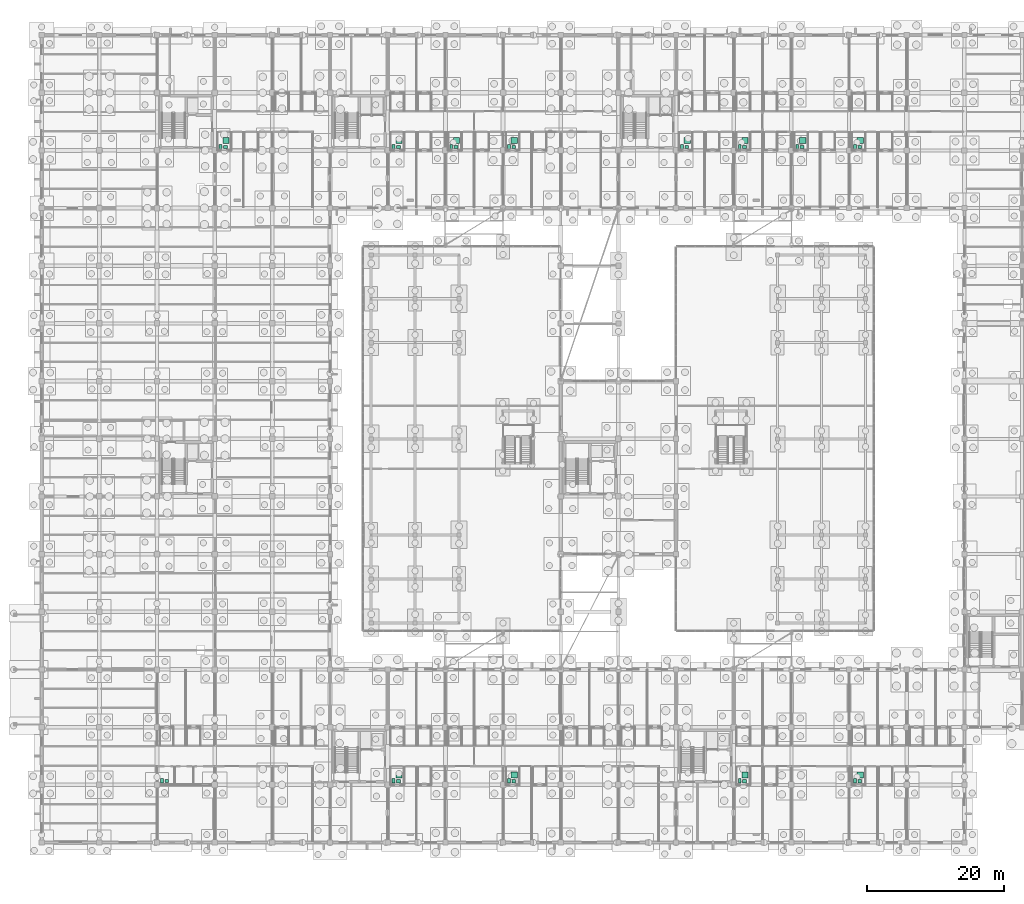
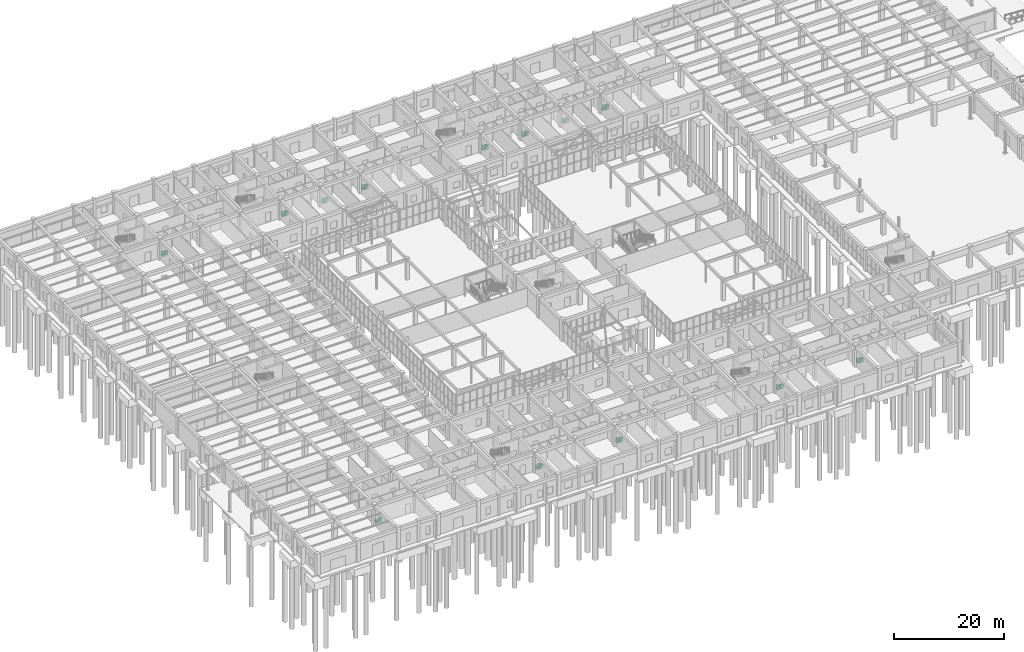
# One storey, part 191 of 192: 38 sanitary terminals.
"""IFC4 building model written with IfcOpenShell, lengths in metres."""

from ifc_helpers import new_model, si_unit, direction, frame, origin, origin_2d, place, context, subcontext, project, spatial, rectangle, extrude, material, type_object, element, save


model = new_model("IFC4")

# Units and contexts
model_context = context("Model", 3, precision=1e-05, world=origin(), true_north=direction((0.0, 1.0)))
body_context = subcontext(model_context, "Body", "Model", "MODEL_VIEW")
ifc_project = project(units=[si_unit("LENGTHUNIT", "METRE"), si_unit("AREAUNIT", "SQUARE_METRE"), si_unit("VOLUMEUNIT", "CUBIC_METRE"), si_unit("PLANEANGLEUNIT", "RADIAN"), si_unit("MASSUNIT", "GRAM", prefix="KILO")], contexts=[model_context])

# Site, building, storey
site_placement = place(None, origin())
site = spatial("IfcSite", under=ifc_project, at=site_placement, CompositionType="ELEMENT")
building_placement = place(site_placement, origin())
building = spatial("IfcBuilding", under=site, at=building_placement, Name="Trelvath General Hospital", CompositionType="ELEMENT")
storey_placement = place(building_placement, origin())
storey = spatial("IfcBuildingStorey", under=building, at=storey_placement, Name="L00", CompositionType="ELEMENT", Elevation=0.0)

# Sanitary terminals
ifc_material_1 = material(Name="Sanitary glazed porcelain")
sanitary_terminal_type_1 = type_object("IfcSanitaryTerminalType", Name="Sanitary Basin", PredefinedType="WASHHANDBASIN", material=ifc_material_1)
for number, where, z_axis, x_axis, name in (
    (1, (18.219970703125, 8.93994140625, 0.0), (0.0, 0.0, 1.0), (1.0, 0.0, 0.0), "Pedestal Washbasin FIT-L00-V6-AWC-2"),
    (2, (51.9599609375, 8.929931640625, 0.0), (0.0, 0.0, 1.0), (1.0, 0.0, 0.0), "Pedestal Washbasin FIT-L00-V6-6-W"),
    (3, (68.760009765625, 8.929931640625, 0.0), (0.0, 0.0, 1.0), (1.0, 0.0, 0.0), "Pedestal Washbasin FIT-L00-V6-8-W"),
    (4, (102.360107421875, 8.929931640625, 0.0), (0.0, 0.0, 1.0), (1.0, 0.0, 0.0), "Pedestal Washbasin FIT-L00-V6-12-W"),
    (5, (119.159912109375, 8.929931640625, 0.0), (0.0, 0.0, 1.0), (1.0, 0.0, 0.0), "Pedestal Washbasin FIT-L00-V6-14-W"),
    (6, (26.760009765625, 101.330078125, 0.0), (0.0, 0.0, 1.0), (1.0, 0.0, 0.0), "Pedestal Washbasin FIT-L00-V5-3-W"),
    (7, (51.9599609375, 101.330078125, 0.0), (0.0, 0.0, 1.0), (1.0, 0.0, 0.0), "Pedestal Washbasin FIT-L00-V5-6-W"),
    (8, (60.360107421875, 101.330078125, 0.0), (0.0, 0.0, 1.0), (1.0, 0.0, 0.0), "Pedestal Washbasin FIT-L00-V5-7-W"),
    (9, (68.760009765625, 101.330078125, 0.0), (0.0, 0.0, 1.0), (1.0, 0.0, 0.0), "Pedestal Washbasin FIT-L00-V5-8-W"),
    (10, (93.9599609375, 101.330078125, 0.0), (0.0, 0.0, 1.0), (1.0, 0.0, 0.0), "Pedestal Washbasin FIT-L00-V5-11-W"),
    (11, (102.360107421875, 101.330078125, 0.0), (0.0, 0.0, 1.0), (1.0, 0.0, 0.0), "Pedestal Washbasin FIT-L00-V5-12-W"),
    (12, (110.760009765625, 101.330078125, 0.0), (0.0, 0.0, 1.0), (1.0, 0.0, 0.0), "Pedestal Washbasin FIT-L00-V5-13-W"),
    (13, (119.159912109375, 101.330078125, 0.0), (0.0, 0.0, 1.0), (1.0, 0.0, 0.0), "Pedestal Washbasin FIT-L00-V5-14-W"),
):
    element("IfcSanitaryTerminal", number, at=place(storey_placement, frame(where, z_axis=z_axis, x_axis=x_axis)), inside=storey, type_object=sanitary_terminal_type_1, Name=name, PredefinedType="WASHHANDBASIN", context=body_context, shape_type="SweptSolid", body=[
        extrude(rectangle(XDim=0.550048828125, YDim=0.449951171875, at=origin_2d()), origin(), (0.0, 0.0, 1.0), 0.85009765625),
    ])
ifc_material_2 = material(Name="Sanitary glazed porcelain")
sanitary_terminal_type_2 = type_object("IfcSanitaryTerminalType", Name="Sanitary Shower", PredefinedType="SHOWER", material=ifc_material_2)
for number, where, z_axis, x_axis, name in (
    (14, (52.0400390625, 9.840087890625, 0.0), (0.0, 0.0, 1.0), (1.0, 0.0, 0.0), "Roll-in Shower FIT-L00-V6-6-W"),
    (15, (68.840087890625, 9.840087890625, 0.0), (0.0, 0.0, 1.0), (1.0, 0.0, 0.0), "Roll-in Shower FIT-L00-V6-8-W"),
    (16, (102.43994140625, 9.840087890625, 0.0), (0.0, 0.0, 1.0), (1.0, 0.0, 0.0), "Roll-in Shower FIT-L00-V6-12-W"),
    (17, (119.239990234375, 9.840087890625, 0.0), (0.0, 0.0, 1.0), (1.0, 0.0, 0.0), "Roll-in Shower FIT-L00-V6-14-W"),
    (18, (26.840087890625, 102.239990234375, 0.0), (0.0, 0.0, 1.0), (1.0, 0.0, 0.0), "Roll-in Shower FIT-L00-V5-3-W"),
    (19, (52.0400390625, 102.239990234375, 0.0), (0.0, 0.0, 1.0), (1.0, 0.0, 0.0), "Roll-in Shower FIT-L00-V5-6-W"),
    (20, (60.43994140625, 102.239990234375, 0.0), (0.0, 0.0, 1.0), (1.0, 0.0, 0.0), "Roll-in Shower FIT-L00-V5-7-W"),
    (21, (68.840087890625, 102.239990234375, 0.0), (0.0, 0.0, 1.0), (1.0, 0.0, 0.0), "Roll-in Shower FIT-L00-V5-8-W"),
    (22, (94.0400390625, 102.239990234375, 0.0), (0.0, 0.0, 1.0), (1.0, 0.0, 0.0), "Roll-in Shower FIT-L00-V5-11-W"),
    (23, (102.43994140625, 102.239990234375, 0.0), (0.0, 0.0, 1.0), (1.0, 0.0, 0.0), "Roll-in Shower FIT-L00-V5-12-W"),
    (24, (110.840087890625, 102.239990234375, 0.0), (0.0, 0.0, 1.0), (1.0, 0.0, 0.0), "Roll-in Shower FIT-L00-V5-13-W"),
    (25, (119.239990234375, 102.239990234375, 0.0), (0.0, 0.0, 1.0), (1.0, 0.0, 0.0), "Roll-in Shower FIT-L00-V5-14-W"),
):
    element("IfcSanitaryTerminal", number, at=place(storey_placement, frame(where, z_axis=z_axis, x_axis=x_axis)), inside=storey, type_object=sanitary_terminal_type_2, Name=name, PredefinedType="SHOWER", context=body_context, shape_type="SweptSolid", body=[
        extrude(rectangle(XDim=0.89990234375, YDim=0.89990234375, at=origin_2d()), origin(), (0.0, 0.0, 1.0), 0.080078125),
    ])
ifc_material_3 = material(Name="Sanitary glazed porcelain")
sanitary_terminal_type_3 = type_object("IfcSanitaryTerminalType", Name="Sanitary WC", PredefinedType="TOILETPAN", material=ifc_material_3)
for number, where, z_axis, x_axis, name in (
    (26, (17.52001953125, 8.97998046875, 0.0), (0.0, 0.0, 1.0), (1.0, 0.0, 0.0), "WC Pan FIT-L00-V6-AWC-2"),
    (27, (51.260009765625, 8.969970703125, 0.0), (0.0, 0.0, 1.0), (1.0, 0.0, 0.0), "WC Pan FIT-L00-V6-6-W"),
    (28, (68.06005859375, 8.969970703125, 0.0), (0.0, 0.0, 1.0), (1.0, 0.0, 0.0), "WC Pan FIT-L00-V6-8-W"),
    (29, (101.659912109375, 8.969970703125, 0.0), (0.0, 0.0, 1.0), (1.0, 0.0, 0.0), "WC Pan FIT-L00-V6-12-W"),
    (30, (118.4599609375, 8.969970703125, 0.0), (0.0, 0.0, 1.0), (1.0, 0.0, 0.0), "WC Pan FIT-L00-V6-14-W"),
    (31, (26.06005859375, 101.3701171875, 0.0), (0.0, 0.0, 1.0), (1.0, 0.0, 0.0), "WC Pan FIT-L00-V5-3-W"),
    (32, (51.260009765625, 101.3701171875, 0.0), (0.0, 0.0, 1.0), (1.0, 0.0, 0.0), "WC Pan FIT-L00-V5-6-W"),
    (33, (59.659912109375, 101.3701171875, 0.0), (0.0, 0.0, 1.0), (1.0, 0.0, 0.0), "WC Pan FIT-L00-V5-7-W"),
    (34, (68.06005859375, 101.3701171875, 0.0), (0.0, 0.0, 1.0), (1.0, 0.0, 0.0), "WC Pan FIT-L00-V5-8-W"),
    (35, (93.260009765625, 101.3701171875, 0.0), (0.0, 0.0, 1.0), (1.0, 0.0, 0.0), "WC Pan FIT-L00-V5-11-W"),
    (36, (101.659912109375, 101.3701171875, 0.0), (0.0, 0.0, 1.0), (1.0, 0.0, 0.0), "WC Pan FIT-L00-V5-12-W"),
    (37, (110.06005859375, 101.3701171875, 0.0), (0.0, 0.0, 1.0), (1.0, 0.0, 0.0), "WC Pan FIT-L00-V5-13-W"),
    (38, (118.4599609375, 101.3701171875, 0.0), (0.0, 0.0, 1.0), (1.0, 0.0, 0.0), "WC Pan FIT-L00-V5-14-W"),
):
    element("IfcSanitaryTerminal", number, at=place(storey_placement, frame(where, z_axis=z_axis, x_axis=x_axis)), inside=storey, type_object=sanitary_terminal_type_3, Name=name, PredefinedType="TOILETPAN", context=body_context, shape_type="SweptSolid", body=[
        extrude(rectangle(XDim=0.39990234375, YDim=0.64990234375, at=origin_2d()), origin(), (0.0, 0.0, 1.0), 0.449951171875),
    ])

save(model, "model.ifc")
